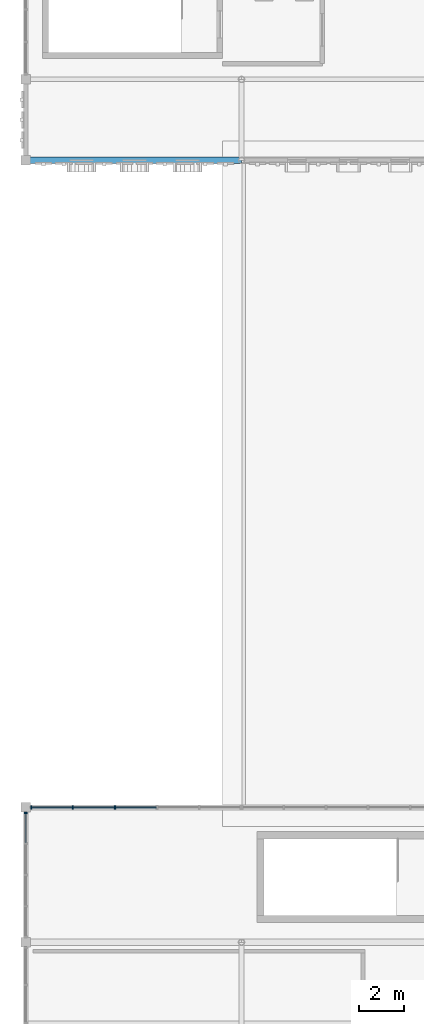
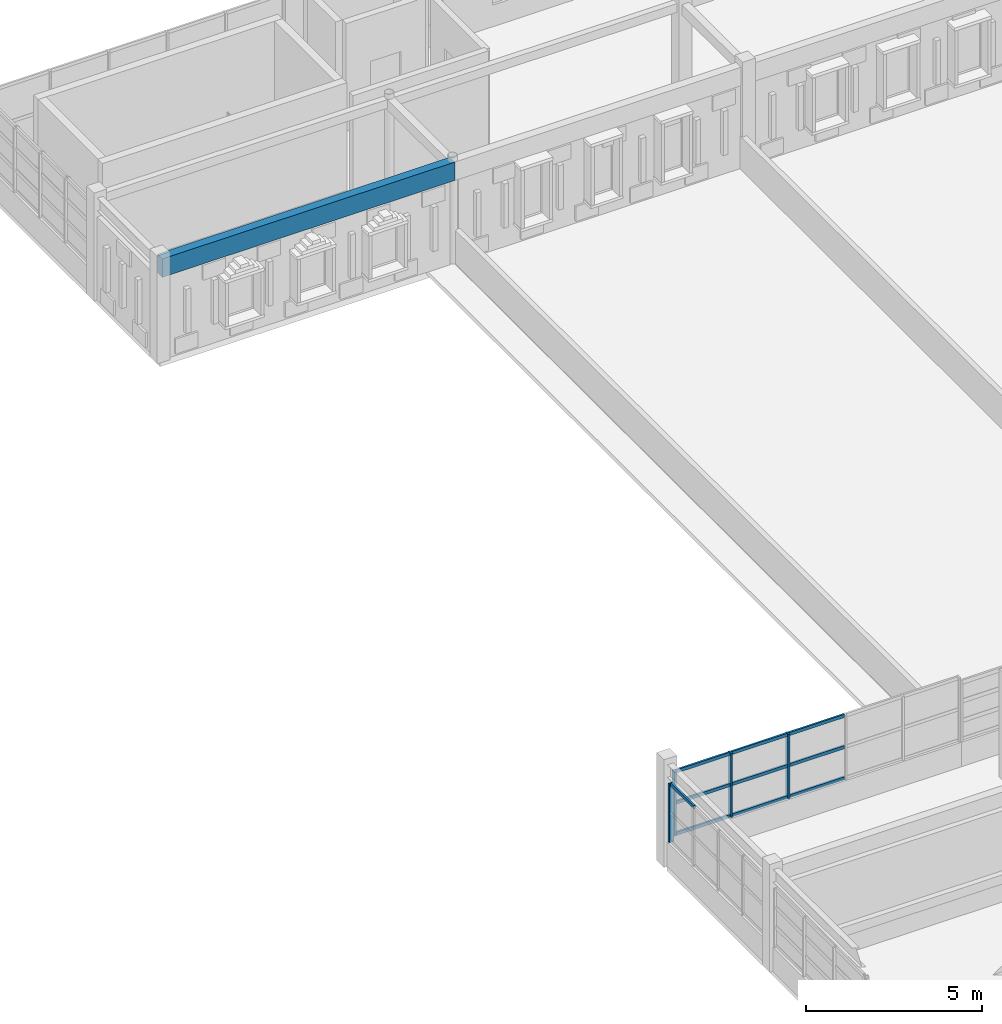
# One storey, part 7 of 25: 14 members, 1 beam, 2 elements without a shape of their own.
"""IFC4 building model written with IfcOpenShell, lengths in metres."""

from ifc_helpers import new_model, si_unit, direction, frame, origin, origin_2d, place, context, subcontext, project, spatial, rectangle, extrude, material, material_profile, profile_set, type_object, element, aggregate, save


model = new_model("IFC4")

# Units and contexts
model_context = context("Model", 3, precision=1e-05, world=origin(), true_north=direction((0.0, 1.0)))
body_context = subcontext(model_context, "Body", "Model", "MODEL_VIEW")
ifc_project = project(units=[si_unit("LENGTHUNIT", "METRE"), si_unit("AREAUNIT", "SQUARE_METRE"), si_unit("VOLUMEUNIT", "CUBIC_METRE"), si_unit("PLANEANGLEUNIT", "RADIAN"), si_unit("MASSUNIT", "GRAM", prefix="KILO")], contexts=[model_context])

# Site, building, storey
site_placement = place(None, origin())
site = spatial("IfcSite", under=ifc_project, at=site_placement, CompositionType="ELEMENT")
building_placement = place(site_placement, origin())
building = spatial("IfcBuilding", under=site, at=building_placement, Name="Nzembalo Square Collegiate School", CompositionType="ELEMENT")
storey_placement = place(building_placement, frame((0.0, 0.0, 21.080078125)))
storey = spatial("IfcBuildingStorey", under=building, at=storey_placement, Name="L05", CompositionType="ELEMENT", Elevation=21.080078125)

# Beam
ifc_material_1 = material(Name="Glulam GL32h", Category="wood")
ifc_material_profile_1 = material_profile(ifc_material_1, rectangle(XDim=0.280029296875, YDim=0.639892578125, at=origin_2d()), Name="GL32h 280x640")
ifc_profile_set_1 = profile_set([ifc_material_profile_1], Name="Glulam GL32h")
beam_type = type_object("IfcBeamType", Name="B04", PredefinedType="BEAM", material=ifc_profile_set_1)
beam_placement = place(storey_placement, frame((130.800048828125, 79.199951171875, 3.2099609375), z_axis=(1.0, 0.0, 0.0), x_axis=(0.0, 1.0, 0.0)))
element("IfcBeam", 1, at=beam_placement, inside=storey, type_object=beam_type, Name="Beam B04 L05", PredefinedType="BEAM", context=body_context, shape_type="SweptSolid", body=[
    extrude(rectangle(XDim=0.280029296875, YDim=0.639892578125, at=origin_2d()), origin(), (0.0, 0.0, 1.0), 9.599853515625),
])

# Curtain wall, member
ifc_material_2 = material(Name="Aluminium 6060-T66", Category="aluminium")
curtain_wall_type_1 = type_object("IfcCurtainWallType", Name="CW-07", PredefinedType="USERDEFINED", material=ifc_material_2)
curtain_wall_1_placement = place(storey_placement, origin())
curtain_wall_1 = element("IfcCurtainWall", 2, at=curtain_wall_1_placement, inside=storey, type_object=curtain_wall_type_1, Name="Curtain wall CW-07 cw:L05:158", ObjectType="LANCET", PredefinedType="USERDEFINED")
ifc_material_3 = material(Name="Aluminium 6060-T66", Category="aluminium")
ifc_material_profile_2 = material_profile(ifc_material_3, rectangle(XDim=0.06005859375, YDim=0.14990234375, at=origin_2d()), Name="ALU M60x150")
ifc_profile_set_2 = profile_set([ifc_material_profile_2], Name="Aluminium 6060-T66")
member_type_1 = type_object("IfcMemberType", Name="ML02", PredefinedType="MULLION", material=ifc_profile_set_2)
member_1_placement = place(storey_placement, frame((130.800048828125, 50.157958984375, 0.849853515625), z_axis=(0.0, 0.0, 1.0), x_axis=(0.0, 1.0, 0.0)))
member_1 = element("IfcMember", 3, at=member_1_placement, type_object=member_type_1, Name="ML02 mullion 5", PredefinedType="MULLION", context=body_context, shape_type="SweptSolid", body=[
    extrude(rectangle(XDim=0.06005859375, YDim=0.14990234375, at=origin_2d()), origin(), (0.0, 0.0, 1.0), 2.0341796875),
])

# Curtain wall, members
ifc_material_4 = material(Name="Aluminium 6060-T66", Category="aluminium")
curtain_wall_type_2 = type_object("IfcCurtainWallType", Name="CW-12", PredefinedType="USERDEFINED", material=ifc_material_4)
curtain_wall_2_placement = place(storey_placement, origin())
curtain_wall_2 = element("IfcCurtainWall", 4, at=curtain_wall_2_placement, inside=storey, type_object=curtain_wall_type_2, Name="Curtain wall CW-12 cw:L05:159", ObjectType="LANCET", PredefinedType="USERDEFINED")
member_2_placement = place(storey_placement, frame((131.0419921875, 50.39990234375, 0.849853515625), z_axis=(0.0, 0.0, 1.0), x_axis=(1.0, 0.0, 0.0)))
member_2 = element("IfcMember", 5, at=member_2_placement, type_object=member_type_1, Name="ML02 mullion 1", PredefinedType="MULLION", context=body_context, shape_type="SweptSolid", body=[
    extrude(rectangle(XDim=0.06005859375, YDim=0.14990234375, at=origin_2d()), origin(), (0.0, 0.0, 1.0), 2.22412109375),
])
member_3_placement = place(storey_placement, frame((132.8896484375, 50.39990234375, 0.849853515625), z_axis=(0.0, 0.0, 1.0), x_axis=(1.0, 0.0, 0.0)))
member_3 = element("IfcMember", 6, at=member_3_placement, type_object=member_type_1, Name="ML02 mullion 2", PredefinedType="MULLION", context=body_context, shape_type="SweptSolid", body=[
    extrude(rectangle(XDim=0.06005859375, YDim=0.14990234375, at=origin_2d()), origin(), (0.0, 0.0, 1.0), 2.22412109375),
])
member_4_placement = place(storey_placement, frame((134.76708984375, 50.39990234375, 0.849853515625), z_axis=(0.0, 0.0, 1.0), x_axis=(1.0, 0.0, 0.0)))
member_4 = element("IfcMember", 7, at=member_4_placement, type_object=member_type_1, Name="ML02 mullion 3", PredefinedType="MULLION", context=body_context, shape_type="SweptSolid", body=[
    extrude(rectangle(XDim=0.06005859375, YDim=0.14990234375, at=origin_2d()), origin(), (0.0, 0.0, 1.0), 2.22412109375),
])

# Member
ifc_material_5 = material(Name="Aluminium 6060-T66", Category="aluminium")
ifc_material_profile_3 = material_profile(ifc_material_5, rectangle(XDim=0.06005859375, YDim=0.110107421875, at=origin_2d()), Name="ALU T60x110")
ifc_profile_set_3 = profile_set([ifc_material_profile_3], Name="Aluminium 6060-T66")
member_type_2 = type_object("IfcMemberType", Name="TR02", PredefinedType="USERDEFINED", material=ifc_profile_set_3)
member_5_placement = place(storey_placement, frame((130.800048828125, 48.823974609375, 2.85400390625), z_axis=(0.0, 1.0, 0.0), x_axis=(-1.0, 0.0, 0.0)))
member_5 = element("IfcMember", 8, at=member_5_placement, type_object=member_type_2, Name="TR02 transom 3-4", ObjectType="TRANSOM", PredefinedType="USERDEFINED", context=body_context, shape_type="SweptSolid", body=[
    extrude(rectangle(XDim=0.06005859375, YDim=0.110107421875, at=origin_2d()), origin(), (0.0, 0.0, 1.0), 1.303955078125),
])

aggregate(curtain_wall_1, [member_1, member_5])

member_6_placement = place(storey_placement, frame((131.072021484375, 50.39990234375, 0.8798828125), z_axis=(1.0, 0.0, 0.0), x_axis=(0.0, 1.0, 0.0)))
member_6 = element("IfcMember", 9, at=member_6_placement, type_object=member_type_2, Name="TR02 transom 1-1", ObjectType="TRANSOM", PredefinedType="USERDEFINED", context=body_context, shape_type="SweptSolid", body=[
    extrude(rectangle(XDim=0.06005859375, YDim=0.110107421875, at=origin_2d()), origin(), (0.0, 0.0, 1.0), 1.78759765625),
])

member_7_placement = place(storey_placement, frame((132.919677734375, 50.39990234375, 0.8798828125), z_axis=(1.0, 0.0, 0.0), x_axis=(0.0, 1.0, 0.0)))
member_7 = element("IfcMember", 10, at=member_7_placement, type_object=member_type_2, Name="TR02 transom 1-2", ObjectType="TRANSOM", PredefinedType="USERDEFINED", context=body_context, shape_type="SweptSolid", body=[
    extrude(rectangle(XDim=0.06005859375, YDim=0.110107421875, at=origin_2d()), origin(), (0.0, 0.0, 1.0), 1.817626953125),
])

member_8_placement = place(storey_placement, frame((134.797119140625, 50.39990234375, 0.8798828125), z_axis=(1.0, 0.0, 0.0), x_axis=(0.0, 1.0, 0.0)))
member_8 = element("IfcMember", 11, at=member_8_placement, type_object=member_type_2, Name="TR02 transom 1-3", ObjectType="TRANSOM", PredefinedType="USERDEFINED", context=body_context, shape_type="SweptSolid", body=[
    extrude(rectangle(XDim=0.06005859375, YDim=0.110107421875, at=origin_2d()), origin(), (0.0, 0.0, 1.0), 1.817626953125),
])

member_9_placement = place(storey_placement, frame((131.072021484375, 50.39990234375, 1.9619140625), z_axis=(1.0, 0.0, 0.0), x_axis=(0.0, 1.0, 0.0)))
member_9 = element("IfcMember", 12, at=member_9_placement, type_object=member_type_2, Name="TR02 transom 2-1", ObjectType="TRANSOM", PredefinedType="USERDEFINED", context=body_context, shape_type="SweptSolid", body=[
    extrude(rectangle(XDim=0.06005859375, YDim=0.110107421875, at=origin_2d()), origin(), (0.0, 0.0, 1.0), 1.78759765625),
])

member_10_placement = place(storey_placement, frame((132.919677734375, 50.39990234375, 1.9619140625), z_axis=(1.0, 0.0, 0.0), x_axis=(0.0, 1.0, 0.0)))
member_10 = element("IfcMember", 13, at=member_10_placement, type_object=member_type_2, Name="TR02 transom 2-2", ObjectType="TRANSOM", PredefinedType="USERDEFINED", context=body_context, shape_type="SweptSolid", body=[
    extrude(rectangle(XDim=0.06005859375, YDim=0.110107421875, at=origin_2d()), origin(), (0.0, 0.0, 1.0), 1.817626953125),
])

member_11_placement = place(storey_placement, frame((134.797119140625, 50.39990234375, 1.9619140625), z_axis=(1.0, 0.0, 0.0), x_axis=(0.0, 1.0, 0.0)))
member_11 = element("IfcMember", 14, at=member_11_placement, type_object=member_type_2, Name="TR02 transom 2-3", ObjectType="TRANSOM", PredefinedType="USERDEFINED", context=body_context, shape_type="SweptSolid", body=[
    extrude(rectangle(XDim=0.06005859375, YDim=0.110107421875, at=origin_2d()), origin(), (0.0, 0.0, 1.0), 1.817626953125),
])

member_12_placement = place(storey_placement, frame((131.072021484375, 50.39990234375, 3.0439453125), z_axis=(1.0, 0.0, 0.0), x_axis=(0.0, 1.0, 0.0)))
member_12 = element("IfcMember", 15, at=member_12_placement, type_object=member_type_2, Name="TR02 transom 3-1", ObjectType="TRANSOM", PredefinedType="USERDEFINED", context=body_context, shape_type="SweptSolid", body=[
    extrude(rectangle(XDim=0.06005859375, YDim=0.110107421875, at=origin_2d()), origin(), (0.0, 0.0, 1.0), 1.78759765625),
])

member_13_placement = place(storey_placement, frame((132.919677734375, 50.39990234375, 3.0439453125), z_axis=(1.0, 0.0, 0.0), x_axis=(0.0, 1.0, 0.0)))
member_13 = element("IfcMember", 16, at=member_13_placement, type_object=member_type_2, Name="TR02 transom 3-2", ObjectType="TRANSOM", PredefinedType="USERDEFINED", context=body_context, shape_type="SweptSolid", body=[
    extrude(rectangle(XDim=0.06005859375, YDim=0.110107421875, at=origin_2d()), origin(), (0.0, 0.0, 1.0), 1.817626953125),
])

member_14_placement = place(storey_placement, frame((134.797119140625, 50.39990234375, 3.0439453125), z_axis=(1.0, 0.0, 0.0), x_axis=(0.0, 1.0, 0.0)))
member_14 = element("IfcMember", 17, at=member_14_placement, type_object=member_type_2, Name="TR02 transom 3-3", ObjectType="TRANSOM", PredefinedType="USERDEFINED", context=body_context, shape_type="SweptSolid", body=[
    extrude(rectangle(XDim=0.06005859375, YDim=0.110107421875, at=origin_2d()), origin(), (0.0, 0.0, 1.0), 1.817626953125),
])

aggregate(curtain_wall_2, [member_2, member_3, member_4, member_6, member_7, member_8, member_9, member_10, member_11, member_12, member_13, member_14])

save(model, "model.ifc")
